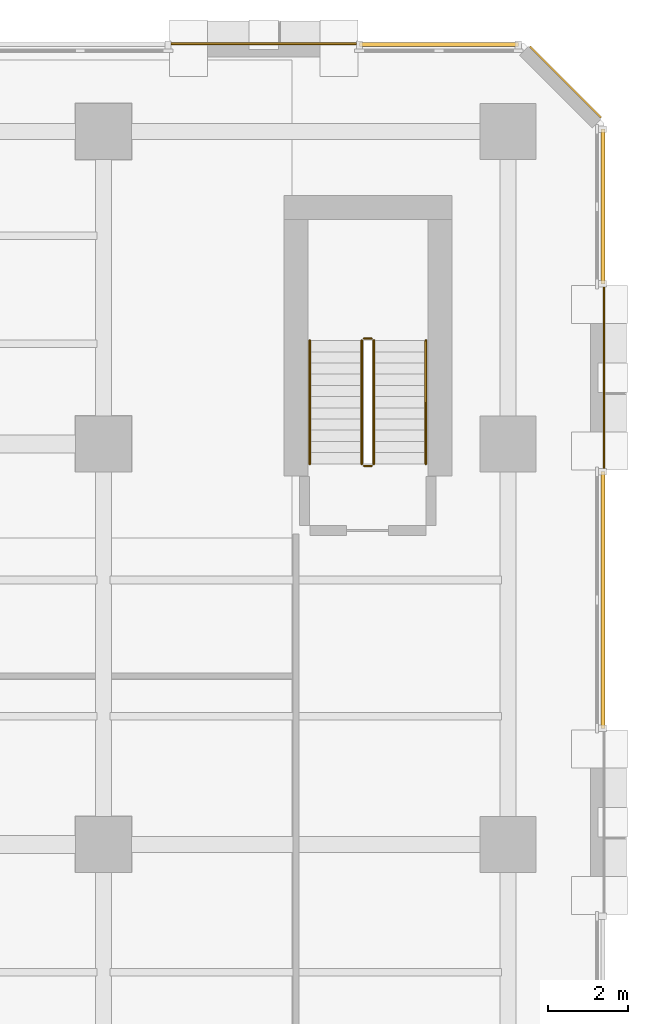
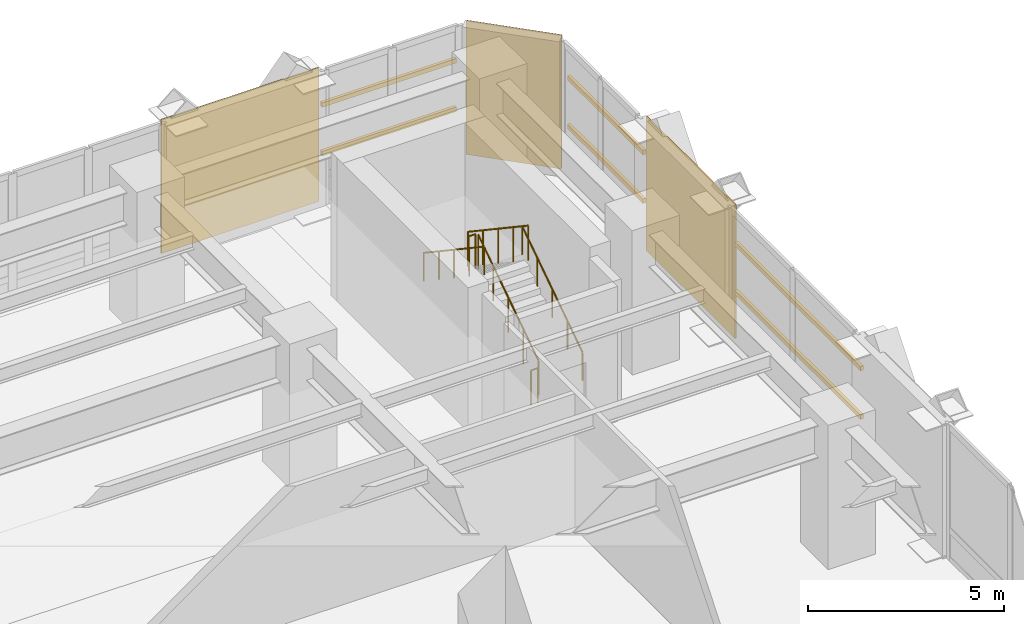
# One storey, part 30 of 30: 6 railings, 6 shading devices, 3 coverings.
"""IFC4 building model written with IfcOpenShell, lengths in metres."""

from ifc_helpers import new_model, si_unit, direction, frame, origin, origin_2d, place, context, subcontext, project, spatial, polyline, rectangle, circle, outline, extrude, material, layer, layer_set, material_profile, profile_set, type_object, element, save


model = new_model("IFC4")

# Units and contexts
model_context = context("Model", 3, precision=1e-05, world=origin(), true_north=direction((0.0, 1.0)))
body_context = subcontext(model_context, "Body", "Model", "MODEL_VIEW")
ifc_project = project(units=[si_unit("LENGTHUNIT", "METRE"), si_unit("AREAUNIT", "SQUARE_METRE"), si_unit("VOLUMEUNIT", "CUBIC_METRE"), si_unit("PLANEANGLEUNIT", "RADIAN"), si_unit("MASSUNIT", "GRAM", prefix="KILO")], contexts=[model_context])

# Site, building, storey
site_placement = place(None, origin())
site = spatial("IfcSite", under=ifc_project, at=site_placement, CompositionType="ELEMENT")
building_placement = place(site_placement, origin())
building = spatial("IfcBuilding", under=site, at=building_placement, Name="Quenlor Broadcast Tower", CompositionType="ELEMENT")
storey_placement = place(building_placement, frame((0.0, 0.0, 9.5)))
storey = spatial("IfcBuildingStorey", under=building, at=storey_placement, Name="L02", CompositionType="ELEMENT", Elevation=9.5)

# Shading devices
ifc_material_1 = material(Name="Architectural Terracotta Ceramic", Category="masonry")
ifc_material_profile = material_profile(ifc_material_1, rectangle(XDim=0.090087890625, YDim=0.139892578125, at=origin_2d()))
ifc_profile_set = profile_set([ifc_material_profile], Name="Architectural Terracotta Ceramic BAG90x140")
shading_device_type = type_object("IfcShadingDeviceType", Name="Copper Terracotta Baguette Solar Screen 140", PredefinedType="USERDEFINED", material=ifc_profile_set)
for number, where, z_axis, x_axis, name in (
    (1, (30.890380859375, 24.972900390625, 1.511962890625), (1.0, 0.0, 0.0), (0.0, 1.0, 0.0), "L02 Terracotta Baguette Screen 1"),
    (2, (30.890380859375, 24.972900390625, 3.02392578125), (1.0, 0.0, 0.0), (0.0, 1.0, 0.0), "L02 Terracotta Baguette Screen 2"),
):
    element("IfcShadingDevice", number, at=place(storey_placement, frame(where, z_axis=z_axis, x_axis=x_axis)), inside=storey, type_object=shading_device_type, Name=name, ObjectType="BAGUETTE", PredefinedType="USERDEFINED", context=body_context, shape_type="SweptSolid", body=[
        extrude(rectangle(XDim=0.090087890625, YDim=0.139892578125, at=origin_2d()), origin(), (0.0, 0.0, 1.0), 3.968505859375),
    ])
for number, where, z_axis, x_axis, name in (
    (3, (36.972900390625, 22.85888671875, 1.511962890625), (0.0, -1.0, 0.0), (1.0, 0.0, 0.0), "L02 Terracotta Baguette Screen 1"),
    (4, (36.972900390625, 22.85888671875, 3.02392578125), (0.0, -1.0, 0.0), (1.0, 0.0, 0.0), "L02 Terracotta Baguette Screen 2"),
):
    element("IfcShadingDevice", number, at=place(storey_placement, frame(where, z_axis=z_axis, x_axis=x_axis)), inside=storey, type_object=shading_device_type, Name=name, ObjectType="BAGUETTE", PredefinedType="USERDEFINED", context=body_context, shape_type="SweptSolid", body=[
        extrude(rectangle(XDim=0.090087890625, YDim=0.139892578125, at=origin_2d()), origin(), (0.0, 0.0, 1.0), 3.865234375),
    ])
for number, where, z_axis, x_axis, name in (
    (5, (36.972900390625, 14.306396484375, 1.511962890625), (0.0, -1.0, 0.0), (1.0, 0.0, 0.0), "L02 Terracotta Baguette Screen 1"),
    (6, (36.972900390625, 14.306396484375, 3.02392578125), (0.0, -1.0, 0.0), (1.0, 0.0, 0.0), "L02 Terracotta Baguette Screen 2"),
):
    element("IfcShadingDevice", number, at=place(storey_placement, frame(where, z_axis=z_axis, x_axis=x_axis)), inside=storey, type_object=shading_device_type, Name=name, ObjectType="BAGUETTE", PredefinedType="USERDEFINED", context=body_context, shape_type="SweptSolid", body=[
        extrude(rectangle(XDim=0.090087890625, YDim=0.139892578125, at=origin_2d()), origin(), (0.0, 0.0, 1.0), 6.41259765625),
    ])

# Coverings
ifc_material_2 = material(Name="Architectural Terracotta Ceramic", Category="masonry")
ifc_layer = layer(ifc_material_2, 0.044921875)
ifc_layer_set = layer_set([ifc_layer], Name="Fluted Terracotta Rainscreen Cladding Panel")
covering_type = type_object("IfcCoveringType", Name="Fluted Terracotta Rainscreen Cladding Panel", PredefinedType="CLADDING", material=ifc_layer_set)
covering_1_placement = place(storey_placement, frame((0.0, 0.0, 0.02001953125)))
element("IfcCovering", 7, at=covering_1_placement, inside=storey, type_object=covering_type, Name="L02 Terracotta Rainscreen Cladding L02-N-FULL-SP4", PredefinedType="CLADDING", context=body_context, shape_type="SweptSolid", body=[
    extrude(outline(polyline([(26.180419921875, 24.971923828125), (30.819580078125, 24.971923828125), (30.819580078125, 25.01708984375), (26.180419921875, 25.01708984375), (26.180419921875, 24.971923828125)])), origin(), (0.0, 0.0, 1.0), 4.159912109375),
])
covering_2_placement = place(storey_placement, frame((0.0, 0.0, 0.02001953125)))
element("IfcCovering", 8, at=covering_2_placement, inside=storey, type_object=covering_type, Name="L02 Terracotta Rainscreen Cladding L02-E-FULL-SP1", PredefinedType="CLADDING", context=body_context, shape_type="SweptSolid", body=[
    extrude(outline(polyline([(36.971923828125, 18.922607421875), (36.971923828125, 14.377197265625), (37.01708984375, 14.377197265625), (37.01708984375, 18.922607421875), (36.971923828125, 18.922607421875)])), origin(), (0.0, 0.0, 1.0), 4.159912109375),
])
covering_3_placement = place(storey_placement, frame((0.0, 0.0, 0.02001953125)))
element("IfcCovering", 9, at=covering_3_placement, inside=storey, type_object=covering_type, Name="L02 Terracotta Rainscreen Cladding L02-EW-CNE", PredefinedType="CLADDING", context=body_context, shape_type="SweptSolid", body=[
    extrude(outline(polyline([(35.128662109375, 24.90625), (36.90625, 23.128662109375), (36.93798828125, 23.160400390625), (35.160400390625, 24.93798828125), (35.128662109375, 24.90625)])), origin(), (0.0, 0.0, 1.0), 4.159912109375),
])

# Railings
ifc_material_3 = material(Name="Anodised Aluminium", Category="aluminium")
railing_type_1 = type_object("IfcRailingType", Name="Stainless Aluminium Wall Handrail 900", PredefinedType="HANDRAIL", material=ifc_material_3)
railing_1_placement = place(storey_placement, frame((32.550048828125, 14.5, 0.1875)))
element("IfcRailing", 10, at=railing_1_placement, inside=storey, type_object=railing_type_1, Name="L02 ST-4 stair handrail 1", PredefinedType="HANDRAIL", context=body_context, shape_type="SweptSolid", body=[
    extrude(circle(Radius=0.02392578125, at=origin_2d()), frame((0.0, 0.0, 0.8759765625), z_axis=(0.0, 0.830913701846, 0.55640131208), x_axis=(-1.0, 0.0, 0.0)), (0.0, 0.0, 1.0), 3.706787109375),
    extrude(circle(Radius=0.02099609375, at=origin_2d()), origin(), (0.0, 0.0, 1.0), 0.851806640625),
    extrude(circle(Radius=0.02099609375, at=origin_2d()), frame((0.0, 0.77001953125, 0.515625)), (0.0, 0.0, 1.0), 0.851806640625),
    extrude(circle(Radius=0.02099609375, at=origin_2d()), frame((0.0, 1.5400390625, 1.03125)), (0.0, 0.0, 1.0), 0.851806640625),
    extrude(circle(Radius=0.02099609375, at=origin_2d()), frame((0.0, 2.31005859375, 1.546875)), (0.0, 0.0, 1.0), 0.851806640625),
    extrude(circle(Radius=0.02099609375, at=origin_2d()), frame((0.0, 3.080078125, 2.0625)), (0.0, 0.0, 1.0), 0.851806640625),
])
railing_2_placement = place(storey_placement, frame((29.64990234375, 17.580078125, 2.4375)))
element("IfcRailing", 11, at=railing_2_placement, inside=storey, type_object=railing_type_1, Name="L02 ST-4 stair handrail 2", PredefinedType="HANDRAIL", context=body_context, shape_type="SweptSolid", body=[
    extrude(circle(Radius=0.02392578125, at=origin_2d()), frame((0.0, 0.0, 0.8759765625), z_axis=(0.0, -0.830913701846, 0.55640131208), x_axis=(1.0, 0.0, 0.0)), (0.0, 0.0, 1.0), 3.706787109375),
    extrude(circle(Radius=0.02099609375, at=origin_2d()), origin(), (0.0, 0.0, 1.0), 0.851806640625),
    extrude(circle(Radius=0.02099609375, at=origin_2d()), frame((0.0, -0.77001953125, 0.515625)), (0.0, 0.0, 1.0), 0.851806640625),
    extrude(circle(Radius=0.02099609375, at=origin_2d()), frame((0.0, -1.5400390625, 1.03125)), (0.0, 0.0, 1.0), 0.851806640625),
    extrude(circle(Radius=0.02099609375, at=origin_2d()), frame((0.0, -2.31005859375, 1.546875)), (0.0, 0.0, 1.0), 0.851806640625),
    extrude(circle(Radius=0.02099609375, at=origin_2d()), frame((0.0, -3.080078125, 2.0625)), (0.0, 0.0, 1.0), 0.851806640625),
])
ifc_material_4 = material(Name="Steel S355", Category="steel")
railing_type_2 = type_object("IfcRailingType", Name="Tubular Steel S355 Stair Guardrail 1100", PredefinedType="BALUSTRADE", material=ifc_material_4)
railing_3_placement = place(storey_placement, frame((31.25, 14.5, 0.1875)))
element("IfcRailing", 12, at=railing_3_placement, inside=storey, type_object=railing_type_2, Name="L02 ST-4 stair guard 1", PredefinedType="BALUSTRADE", context=body_context, shape_type="SweptSolid", body=[
    extrude(circle(Radius=0.02392578125, at=origin_2d()), frame((0.0, 0.0, 1.076171875), z_axis=(0.0, 0.830913701846, 0.55640131208), x_axis=(-1.0, 0.0, 0.0)), (0.0, 0.0, 1.0), 3.706787109375),
    extrude(circle(Radius=0.02099609375, at=origin_2d()), origin(), (0.0, 0.0, 1.0), 1.052001953125),
    extrude(circle(Radius=0.02099609375, at=origin_2d()), frame((0.0, 0.77001953125, 0.515625)), (0.0, 0.0, 1.0), 1.052001953125),
    extrude(circle(Radius=0.02099609375, at=origin_2d()), frame((0.0, 1.5400390625, 1.03125)), (0.0, 0.0, 1.0), 1.052001953125),
    extrude(circle(Radius=0.02099609375, at=origin_2d()), frame((0.0, 2.31005859375, 1.546875)), (0.0, 0.0, 1.0), 1.052001953125),
    extrude(circle(Radius=0.02099609375, at=origin_2d()), frame((0.0, 3.080078125, 2.0625)), (0.0, 0.0, 1.0), 1.052001953125),
])
railing_4_placement = place(storey_placement, frame((31.199951171875, 17.6298828125, 2.25)))
element("IfcRailing", 13, at=railing_4_placement, inside=storey, type_object=railing_type_2, Name="L02 ST-4 stair guard 2", PredefinedType="BALUSTRADE", context=body_context, shape_type="SweptSolid", body=[
    extrude(circle(Radius=0.02392578125, at=origin_2d()), frame((0.0, 0.0, 1.076171875), z_axis=(-1.0, 0.0, 0.0), x_axis=(0.0, -1.0, 0.0)), (0.0, 0.0, 1.0), 0.199951171875),
    extrude(circle(Radius=0.02099609375, at=origin_2d()), origin(), (0.0, 0.0, 1.0), 1.052001953125),
    extrude(circle(Radius=0.02099609375, at=origin_2d()), frame((-0.199951171875, 0.0, 0.0)), (0.0, 0.0, 1.0), 1.052001953125),
])
railing_5_placement = place(storey_placement, frame((30.949951171875, 17.580078125, 2.4375)))
element("IfcRailing", 14, at=railing_5_placement, inside=storey, type_object=railing_type_2, Name="L02 ST-4 stair guard 3", PredefinedType="BALUSTRADE", context=body_context, shape_type="SweptSolid", body=[
    extrude(circle(Radius=0.02392578125, at=origin_2d()), frame((0.0, 0.0, 1.076171875), z_axis=(0.0, -0.830913701846, 0.55640131208), x_axis=(1.0, 0.0, 0.0)), (0.0, 0.0, 1.0), 3.706787109375),
    extrude(circle(Radius=0.02099609375, at=origin_2d()), origin(), (0.0, 0.0, 1.0), 1.052001953125),
    extrude(circle(Radius=0.02099609375, at=origin_2d()), frame((0.0, -0.77001953125, 0.515625)), (0.0, 0.0, 1.0), 1.052001953125),
    extrude(circle(Radius=0.02099609375, at=origin_2d()), frame((0.0, -1.5400390625, 1.03125)), (0.0, 0.0, 1.0), 1.052001953125),
    extrude(circle(Radius=0.02099609375, at=origin_2d()), frame((0.0, -2.31005859375, 1.546875)), (0.0, 0.0, 1.0), 1.052001953125),
    extrude(circle(Radius=0.02099609375, at=origin_2d()), frame((0.0, -3.080078125, 2.0625)), (0.0, 0.0, 1.0), 1.052001953125),
])
railing_6_placement = place(storey_placement, frame((31.199951171875, 14.449951171875, 0.0)))
element("IfcRailing", 15, at=railing_6_placement, inside=storey, type_object=railing_type_2, Name="L02 ST-4 stair guard 4", PredefinedType="BALUSTRADE", context=body_context, shape_type="SweptSolid", body=[
    extrude(circle(Radius=0.02392578125, at=origin_2d()), frame((0.0, 0.0, 1.076171875), z_axis=(-1.0, 0.0, 0.0), x_axis=(0.0, -1.0, 0.0)), (0.0, 0.0, 1.0), 0.199951171875),
    extrude(circle(Radius=0.02099609375, at=origin_2d()), origin(), (0.0, 0.0, 1.0), 1.052001953125),
    extrude(circle(Radius=0.02099609375, at=origin_2d()), frame((-0.199951171875, 0.0, 0.0)), (0.0, 0.0, 1.0), 1.052001953125),
])

save(model, "model.ifc")
